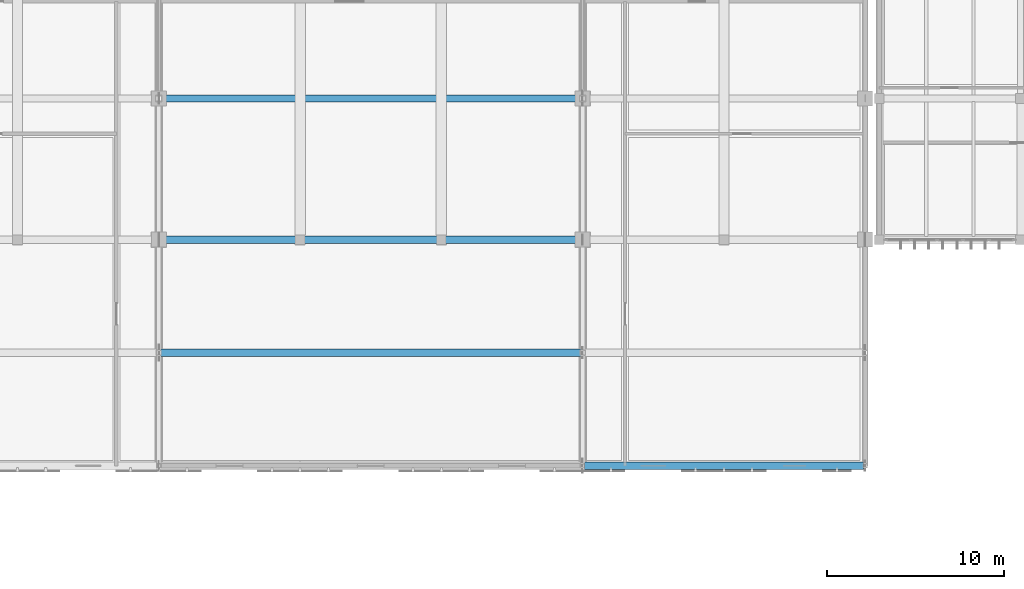
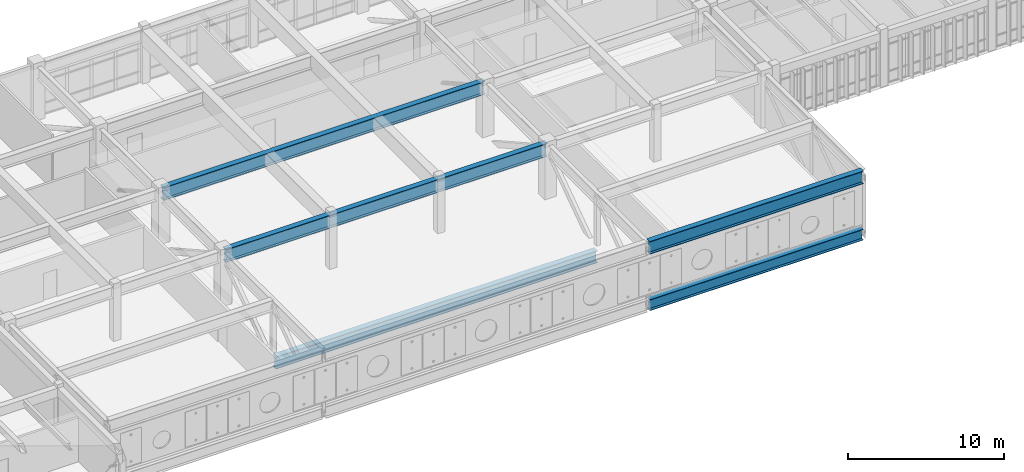
# One storey, part 12 of 79: 5 beams.
"""IFC4 building model written with IfcOpenShell, lengths in metres."""

from ifc_helpers import new_model, si_unit, direction, frame, origin, origin_2d, place, context, subcontext, project, spatial, i_section, extrude, material, material_profile, profile_set, type_object, element, save


model = new_model("IFC4")

# Units and contexts
model_context = context("Model", 3, precision=1e-05, world=origin(), true_north=direction((0.0, 1.0)))
body_context = subcontext(model_context, "Body", "Model", "MODEL_VIEW")
ifc_project = project(units=[si_unit("LENGTHUNIT", "METRE"), si_unit("AREAUNIT", "SQUARE_METRE"), si_unit("VOLUMEUNIT", "CUBIC_METRE"), si_unit("PLANEANGLEUNIT", "RADIAN"), si_unit("MASSUNIT", "GRAM", prefix="KILO")], contexts=[model_context])

# Site, building, storey
site_placement = place(None, origin())
site = spatial("IfcSite", under=ifc_project, at=site_placement, CompositionType="ELEMENT")
building_placement = place(site_placement, origin())
building = spatial("IfcBuilding", under=site, at=building_placement, Name="Tlaxcora Railside Police Headquarters", CompositionType="ELEMENT")
storey_placement = place(building_placement, frame((0.0, 0.0, 9.0)))
storey = spatial("IfcBuildingStorey", under=building, at=storey_placement, Name="L02", CompositionType="ELEMENT", Elevation=9.0)

# Beams
ifc_material = material(Name="Steel ASTM A992 Grade 50", Category="steel")
ifc_material_profile_1 = material_profile(ifc_material, i_section(OverallWidth=0.404052734375, OverallDepth=1.02001953125, WebThickness=0.025390625, FlangeThickness=0.0458984375, at=origin_2d()), Name="W40X324")
ifc_profile_set_1 = profile_set([ifc_material_profile_1], Name="Steel ASTM A992 Grade 50")
beam_type_1 = type_object("IfcBeamType", Name="Primary Frame Girder BM-17", PredefinedType="BEAM", material=ifc_profile_set_1)
for number, where, z_axis, x_axis, name in (
    (1, (62.10009765625, 44.0, 3.7099609375), (1.0, 0.0, 0.0), (0.0, 1.0, 0.0), "V2 L03 transverse girder Y=44.0"),
    (2, (62.10009765625, 36.0, 3.7099609375), (1.0, 0.0, 0.0), (0.0, 1.0, 0.0), "V2 L03 transverse girder Y=36.0"),
):
    element("IfcBeam", number, at=place(storey_placement, frame(where, z_axis=z_axis, x_axis=x_axis)), inside=storey, type_object=beam_type_1, Name=name, PredefinedType="BEAM", context=body_context, shape_type="SweptSolid", body=[
        extrude(i_section(OverallWidth=0.404052734375, OverallDepth=1.02001953125, WebThickness=0.025390625, FlangeThickness=0.0458984375, at=origin_2d()), origin(), (0.0, 0.0, 1.0), 23.7998046875),
    ])
ifc_material_profile_2 = material_profile(ifc_material, i_section(OverallWidth=0.423095703125, OverallDepth=0.947998046875, WebThickness=0.02392578125, FlangeThickness=0.042724609375, at=origin_2d()), Name="W36X302")
ifc_profile_set_2 = profile_set([ifc_material_profile_2], Name="Steel ASTM A992 Grade 50")
beam_type_2 = type_object("IfcBeamType", Name="Primary Frame Girder BM-30", PredefinedType="BEAM", material=ifc_profile_set_2)
beam_1_placement = place(storey_placement, frame((62.10009765625, 29.60009765625, -0.77001953125), z_axis=(1.0, 0.0, 0.0), x_axis=(0.0, 1.0, 0.0)))
element("IfcBeam", 3, at=beam_1_placement, inside=storey, type_object=beam_type_2, Name="V2 L02 cantilever transverse girder Y=29.6", PredefinedType="BEAM", context=body_context, shape_type="SweptSolid", body=[
    extrude(i_section(OverallWidth=0.423095703125, OverallDepth=0.947998046875, WebThickness=0.02392578125, FlangeThickness=0.042724609375, at=origin_2d()), origin(), (0.0, 0.0, 1.0), 23.7998046875),
])
ifc_material_profile_3 = material_profile(ifc_material, i_section(OverallWidth=0.403076171875, OverallDepth=0.868896484375, WebThickness=0.02099609375, FlangeThickness=0.03564453125, at=origin_2d()), Name="W33X241")
ifc_profile_set_3 = profile_set([ifc_material_profile_3], Name="Steel ASTM A992 Grade 50")
beam_type_3 = type_object("IfcBeamType", Name="Primary Frame Girder BM-45", PredefinedType="BEAM", material=ifc_profile_set_3)
beam_2_placement = place(storey_placement, frame((86.10009765625, 23.199951171875, -0.77001953125), z_axis=(1.0, 0.0, 0.0), x_axis=(0.0, 1.0, 0.0)))
element("IfcBeam", 4, at=beam_2_placement, inside=storey, type_object=beam_type_3, Name="V2 L02 cantilever transverse girder Y=23.2", PredefinedType="BEAM", context=body_context, shape_type="SweptSolid", body=[
    extrude(i_section(OverallWidth=0.403076171875, OverallDepth=0.868896484375, WebThickness=0.02099609375, FlangeThickness=0.03564453125, at=origin_2d()), origin(), (0.0, 0.0, 1.0), 15.7998046875),
])
ifc_material_profile_4 = material_profile(ifc_material, i_section(OverallWidth=0.402099609375, OverallDepth=1.008056640625, WebThickness=0.02099609375, FlangeThickness=0.0400390625, at=origin_2d()), Name="W40X277")
ifc_profile_set_4 = profile_set([ifc_material_profile_4], Name="Steel ASTM A992 Grade 50")
beam_type_4 = type_object("IfcBeamType", Name="Primary Frame Girder BM-59", PredefinedType="BEAM", material=ifc_profile_set_4)
beam_3_placement = place(storey_placement, frame((86.10009765625, 23.199951171875, 3.716064453125), z_axis=(1.0, 0.0, 0.0), x_axis=(0.0, 1.0, 0.0)))
element("IfcBeam", 5, at=beam_3_placement, inside=storey, type_object=beam_type_4, Name="V2 L03 transverse girder Y=23.2", PredefinedType="BEAM", context=body_context, shape_type="SweptSolid", body=[
    extrude(i_section(OverallWidth=0.402099609375, OverallDepth=1.008056640625, WebThickness=0.02099609375, FlangeThickness=0.0400390625, at=origin_2d()), origin(), (0.0, 0.0, 1.0), 15.7998046875),
])

save(model, "model.ifc")
